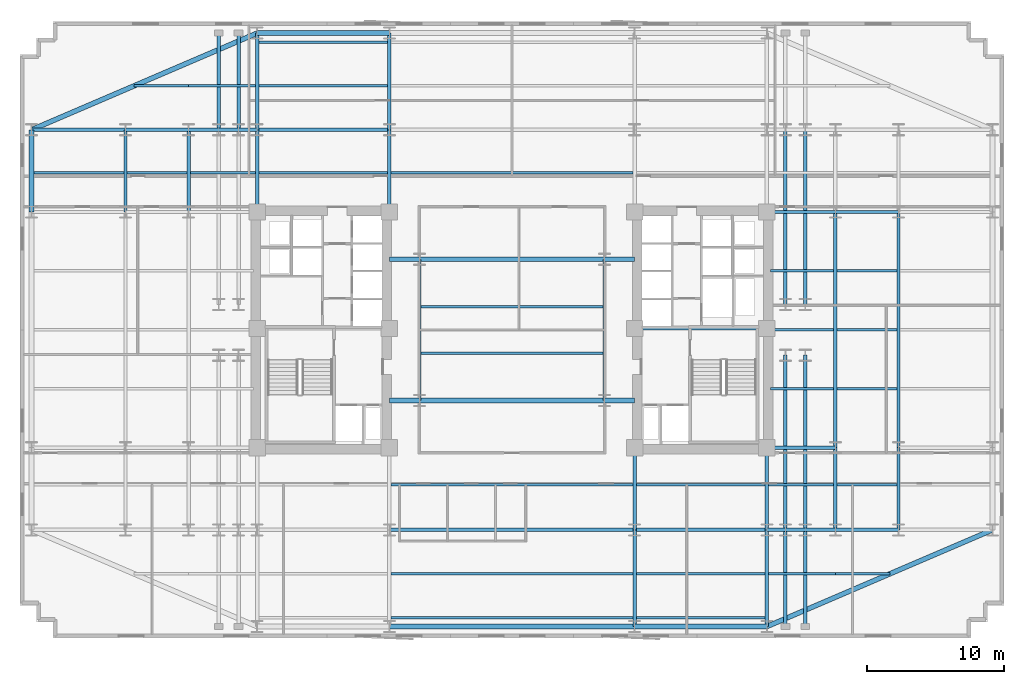
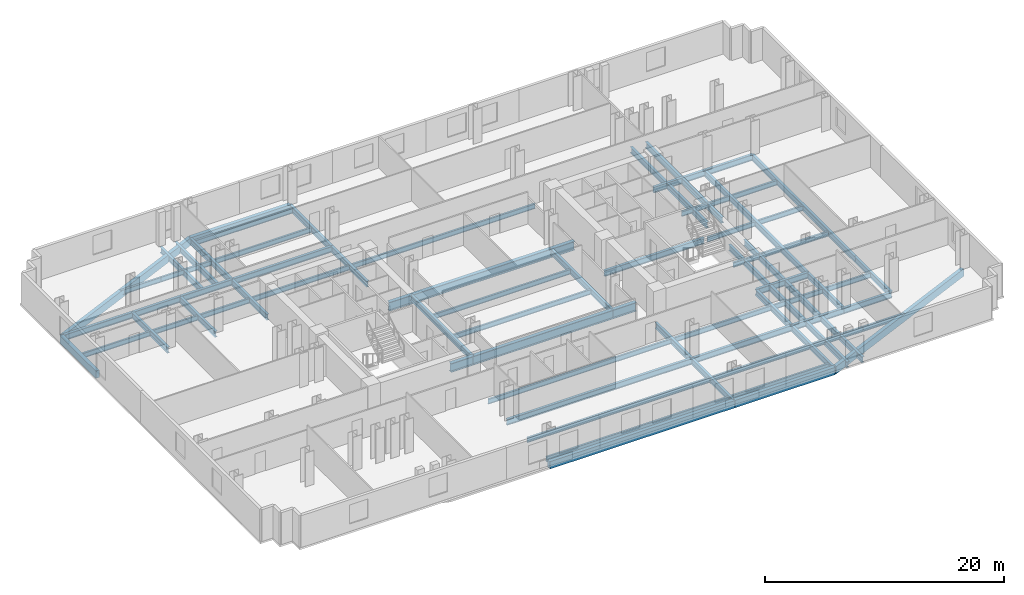
# One storey, part 2 of 10: 75 beams.
"""IFC4 building model written with IfcOpenShell, lengths in metres."""

from ifc_helpers import new_model, si_unit, direction, frame, origin, origin_2d, place, context, subcontext, project, spatial, rectangle, i_section, extrude, material, material_profile, profile_set, type_object, element, save


model = new_model("IFC4")

# Units and contexts
model_context = context("Model", 3, precision=1e-05, world=origin(), true_north=direction((0.0, 1.0)))
body_context = subcontext(model_context, "Body", "Model", "MODEL_VIEW")
ifc_project = project(units=[si_unit("LENGTHUNIT", "METRE"), si_unit("AREAUNIT", "SQUARE_METRE"), si_unit("VOLUMEUNIT", "CUBIC_METRE"), si_unit("PLANEANGLEUNIT", "RADIAN"), si_unit("MASSUNIT", "GRAM", prefix="KILO")], contexts=[model_context])

# Site, building, storey
site_placement = place(None, origin())
site = spatial("IfcSite", under=ifc_project, at=site_placement, CompositionType="ELEMENT")
building_placement = place(site_placement, origin())
building = spatial("IfcBuilding", under=site, at=building_placement, Name="Velakula Bourse", CompositionType="ELEMENT")
storey_placement = place(building_placement, frame((0.0, 0.0, 51.89990234375)))
storey = spatial("IfcBuildingStorey", under=building, at=storey_placement, Name="L13", CompositionType="ELEMENT", Elevation=51.89990234375)

# Beams
ifc_material_1 = material(Name="Steel IS 2062 Grade 350 (E350)", Category="steel")
ifc_material_profile_1 = material_profile(ifc_material_1, i_section(OverallWidth=0.25, OverallDepth=0.60009765625, WebThickness=0.01171875, FlangeThickness=0.023681640625, at=origin_2d()), Name="Steel IS 2062 Grade 350 (E350)")
ifc_profile_set_1 = profile_set([ifc_material_profile_1], Name="Steel IS 2062 Grade 350 (E350)")
beam_type_1 = type_object("IfcBeamType", Name="BM-GRD-600H", PredefinedType="BEAM", material=ifc_profile_set_1)
beam_1_placement = place(storey_placement, frame((8.949951171875, 0.10009765625, -0.47998046875), z_axis=(1.0, 0.0, 0.0), x_axis=(0.0, 1.0, 0.0)))
element("IfcBeam", 1, at=beam_1_placement, inside=storey, type_object=beam_type_1, Name="L13 Primary Backbone Girder CRE-M", PredefinedType="BEAM", context=body_context, shape_type="SweptSolid", body=[
    extrude(i_section(OverallWidth=0.25, OverallDepth=0.60009765625, WebThickness=0.01171875, FlangeThickness=0.023681640625, at=origin_2d()), origin(), (0.0, 0.0, 1.0), 9.650146484375),
])
for number, where, z_axis, x_axis, name in (
    (2, (-6.75, -5.14990234375, -0.47998046875), (0.0, 1.0, 0.0), (-1.0, 0.0, 0.0), "L13 Primary Backbone Girder SPN-W"),
    (3, (6.75, -5.14990234375, -0.47998046875), (0.0, 1.0, 0.0), (-1.0, 0.0, 0.0), "L13 Primary Backbone Girder SPN-E"),
):
    element("IfcBeam", number, at=place(storey_placement, frame(where, z_axis=z_axis, x_axis=x_axis)), inside=storey, type_object=beam_type_1, Name=name, PredefinedType="BEAM", context=body_context, shape_type="SweptSolid", body=[
        extrude(i_section(OverallWidth=0.25, OverallDepth=0.60009765625, WebThickness=0.01171875, FlangeThickness=0.023681640625, at=origin_2d()), origin(), (0.0, 0.0, 1.0), 10.2998046875),
    ])
for number, where, z_axis, x_axis, name in (
    (4, (-18.60009765625, 8.60009765625, -0.47998046875), (0.0, 1.0, 0.0), (-1.0, 0.0, 0.0), "L13 Fulcrum Grid Girder FLC-WN"),
    (5, (-8.949951171875, 8.60009765625, -0.47998046875), (0.0, 1.0, 0.0), (-1.0, 0.0, 0.0), "L13 Fulcrum Grid Girder FLC-WCN"),
    (6, (8.949951171875, -14.60009765625, -0.47998046875), (0.0, 1.0, 0.0), (-1.0, 0.0, 0.0), "L13 Fulcrum Grid Girder FLC-ECS"),
    (7, (18.60009765625, -14.60009765625, -0.47998046875), (0.0, 1.0, 0.0), (-1.0, 0.0, 0.0), "L13 Fulcrum Grid Girder FLC-ES"),
):
    element("IfcBeam", number, at=place(storey_placement, frame(where, z_axis=z_axis, x_axis=x_axis)), inside=storey, type_object=beam_type_1, Name=name, PredefinedType="BEAM", context=body_context, shape_type="SweptSolid", body=[
        extrude(i_section(OverallWidth=0.25, OverallDepth=0.60009765625, WebThickness=0.01171875, FlangeThickness=0.023681640625, at=origin_2d()), origin(), (0.0, 0.0, 1.0), 6.0),
    ])
beam_2_placement = place(storey_placement, frame((-8.949951171875, -14.60009765625, -0.47998046875), z_axis=(1.0, 0.0, 0.0), x_axis=(0.0, 1.0, 0.0)))
element("IfcBeam", 8, at=beam_2_placement, inside=storey, type_object=beam_type_1, Name="L13 Fulcrum Grid Girder FLC-S2", PredefinedType="BEAM", context=body_context, shape_type="SweptSolid", body=[
    extrude(i_section(OverallWidth=0.25, OverallDepth=0.60009765625, WebThickness=0.01171875, FlangeThickness=0.023681640625, at=origin_2d()), origin(), (0.0, 0.0, 1.0), 17.89990234375),
])
for number, where, z_axis, x_axis, name in (
    (9, (8.949951171875, -14.60009765625, -0.47998046875), (1.0, 0.0, 0.0), (0.0, 1.0, 0.0), "L13 Fulcrum Grid Girder FLC-S3"),
    (10, (-18.60009765625, 14.60009765625, -0.47998046875), (1.0, 0.0, 0.0), (0.0, 1.0, 0.0), "L13 Fulcrum Grid Girder FLC-N1"),
):
    element("IfcBeam", number, at=place(storey_placement, frame(where, z_axis=z_axis, x_axis=x_axis)), inside=storey, type_object=beam_type_1, Name=name, PredefinedType="BEAM", context=body_context, shape_type="SweptSolid", body=[
        extrude(i_section(OverallWidth=0.25, OverallDepth=0.60009765625, WebThickness=0.01171875, FlangeThickness=0.023681640625, at=origin_2d()), origin(), (0.0, 0.0, 1.0), 9.650146484375),
    ])
for number, where, z_axis, x_axis, name in (
    (11, (19.949951171875, -14.60009765625, -0.47998046875), (0.0, 1.0, 0.0), (-1.0, 0.0, 0.0), "L13 Fulcrum Grid Girder FLC-PSE1"),
    (12, (19.949951171875, 1.85009765625, -0.47998046875), (0.0, 1.0, 0.0), (-1.0, 0.0, 0.0), "L13 Fulcrum Grid Girder FLC-PNE1"),
    (13, (21.39990234375, -14.60009765625, -0.47998046875), (0.0, 1.0, 0.0), (-1.0, 0.0, 0.0), "L13 Fulcrum Grid Girder FLC-PSE2"),
    (14, (21.39990234375, 1.85009765625, -0.47998046875), (0.0, 1.0, 0.0), (-1.0, 0.0, 0.0), "L13 Fulcrum Grid Girder FLC-PNE2"),
):
    element("IfcBeam", number, at=place(storey_placement, frame(where, z_axis=z_axis, x_axis=x_axis)), inside=storey, type_object=beam_type_1, Name=name, PredefinedType="BEAM", context=body_context, shape_type="SweptSolid", body=[
        extrude(i_section(OverallWidth=0.25, OverallDepth=0.60009765625, WebThickness=0.01171875, FlangeThickness=0.023681640625, at=origin_2d()), origin(), (0.0, 0.0, 1.0), 12.75),
    ])
beam_3_placement = place(storey_placement, frame((-23.60009765625, 14.60009765625, -0.47998046875), z_axis=(1.0, 0.0, 0.0), x_axis=(0.0, 1.0, 0.0)))
element("IfcBeam", 15, at=beam_3_placement, inside=storey, type_object=beam_type_1, Name="L13 Fulcrum Grid Girder MWG-WN2", PredefinedType="BEAM", context=body_context, shape_type="SweptSolid", body=[
    extrude(i_section(OverallWidth=0.25, OverallDepth=0.60009765625, WebThickness=0.01171875, FlangeThickness=0.023681640625, at=origin_2d()), origin(), (0.0, 0.0, 1.0), 5.0),
])
beam_4_placement = place(storey_placement, frame((-23.60009765625, 8.60009765625, -0.47998046875), z_axis=(0.0, 1.0, 0.0), x_axis=(-1.0, 0.0, 0.0)))
element("IfcBeam", 16, at=beam_4_placement, inside=storey, type_object=beam_type_1, Name="L13 Fulcrum Grid Girder MWG-WNS3", PredefinedType="BEAM", context=body_context, shape_type="SweptSolid", body=[
    extrude(i_section(OverallWidth=0.25, OverallDepth=0.60009765625, WebThickness=0.01171875, FlangeThickness=0.023681640625, at=origin_2d()), origin(), (0.0, 0.0, 1.0), 6.0),
])
for number, where, z_axis, x_axis, name in (
    (17, (18.60009765625, -14.60009765625, -0.47998046875), (1.0, 0.0, 0.0), (0.0, 1.0, 0.0), "L13 Fulcrum Grid Girder MWG-ES1"),
    (18, (18.60009765625, -8.60009765625, -0.47998046875), (1.0, 0.0, 0.0), (0.0, 1.0, 0.0), "L13 Fulcrum Grid Girder MWG-ES2"),
    (19, (18.60009765625, 8.60009765625, -0.47998046875), (1.0, 0.0, 0.0), (0.0, 1.0, 0.0), "L13 Fulcrum Grid Girder MWG-EN1"),
):
    element("IfcBeam", number, at=place(storey_placement, frame(where, z_axis=z_axis, x_axis=x_axis)), inside=storey, type_object=beam_type_1, Name=name, PredefinedType="BEAM", context=body_context, shape_type="SweptSolid", body=[
        extrude(i_section(OverallWidth=0.25, OverallDepth=0.60009765625, WebThickness=0.01171875, FlangeThickness=0.023681640625, at=origin_2d()), origin(), (0.0, 0.0, 1.0), 5.0),
    ])
beam_5_placement = place(storey_placement, frame((23.60009765625, -14.60009765625, -0.47998046875), z_axis=(0.0, 1.0, 0.0), x_axis=(-1.0, 0.0, 0.0)))
element("IfcBeam", 20, at=beam_5_placement, inside=storey, type_object=beam_type_1, Name="L13 Fulcrum Grid Girder MWG-ENS1", PredefinedType="BEAM", context=body_context, shape_type="SweptSolid", body=[
    extrude(i_section(OverallWidth=0.25, OverallDepth=0.60009765625, WebThickness=0.01171875, FlangeThickness=0.023681640625, at=origin_2d()), origin(), (0.0, 0.0, 1.0), 6.0),
])
beam_6_placement = place(storey_placement, frame((23.60009765625, -8.60009765625, -0.47998046875), z_axis=(0.0, 1.0, 0.0), x_axis=(-1.0, 0.0, 0.0)))
element("IfcBeam", 21, at=beam_6_placement, inside=storey, type_object=beam_type_1, Name="L13 Fulcrum Grid Girder MWG-ENS2", PredefinedType="BEAM", context=body_context, shape_type="SweptSolid", body=[
    extrude(i_section(OverallWidth=0.25, OverallDepth=0.60009765625, WebThickness=0.01171875, FlangeThickness=0.023681640625, at=origin_2d()), origin(), (0.0, 0.0, 1.0), 17.2001953125),
])
beam_7_placement = place(storey_placement, frame((-28.199951171875, 14.60009765625, -0.47998046875), z_axis=(1.0, 0.0, 0.0), x_axis=(0.0, 1.0, 0.0)))
element("IfcBeam", 22, at=beam_7_placement, inside=storey, type_object=beam_type_1, Name="L13 Fulcrum Grid Girder WNG-WN2", PredefinedType="BEAM", context=body_context, shape_type="SweptSolid", body=[
    extrude(i_section(OverallWidth=0.25, OverallDepth=0.60009765625, WebThickness=0.01171875, FlangeThickness=0.023681640625, at=origin_2d()), origin(), (0.0, 0.0, 1.0), 4.599853515625),
])
beam_8_placement = place(storey_placement, frame((-28.199951171875, 8.60009765625, -0.47998046875), z_axis=(0.0, 1.0, 0.0), x_axis=(-1.0, 0.0, 0.0)))
element("IfcBeam", 23, at=beam_8_placement, inside=storey, type_object=beam_type_1, Name="L13 Fulcrum Grid Girder WNG-WNS3", PredefinedType="BEAM", context=body_context, shape_type="SweptSolid", body=[
    extrude(i_section(OverallWidth=0.25, OverallDepth=0.60009765625, WebThickness=0.01171875, FlangeThickness=0.023681640625, at=origin_2d()), origin(), (0.0, 0.0, 1.0), 6.0),
])
for number, where, z_axis, x_axis, name in (
    (24, (23.60009765625, -14.60009765625, -0.47998046875), (1.0, 0.0, 0.0), (0.0, 1.0, 0.0), "L13 Fulcrum Grid Girder WNG-ES1"),
    (25, (23.60009765625, 8.60009765625, -0.47998046875), (1.0, 0.0, 0.0), (0.0, 1.0, 0.0), "L13 Fulcrum Grid Girder WNG-EN1"),
):
    element("IfcBeam", number, at=place(storey_placement, frame(where, z_axis=z_axis, x_axis=x_axis)), inside=storey, type_object=beam_type_1, Name=name, PredefinedType="BEAM", context=body_context, shape_type="SweptSolid", body=[
        extrude(i_section(OverallWidth=0.25, OverallDepth=0.60009765625, WebThickness=0.01171875, FlangeThickness=0.023681640625, at=origin_2d()), origin(), (0.0, 0.0, 1.0), 4.599853515625),
    ])
beam_9_placement = place(storey_placement, frame((28.199951171875, -14.60009765625, -0.47998046875), z_axis=(0.0, 1.0, 0.0), x_axis=(-1.0, 0.0, 0.0)))
element("IfcBeam", 26, at=beam_9_placement, inside=storey, type_object=beam_type_1, Name="L13 Fulcrum Grid Girder WNG-ENS1", PredefinedType="BEAM", context=body_context, shape_type="SweptSolid", body=[
    extrude(i_section(OverallWidth=0.25, OverallDepth=0.60009765625, WebThickness=0.01171875, FlangeThickness=0.023681640625, at=origin_2d()), origin(), (0.0, 0.0, 1.0), 6.0),
])
beam_10_placement = place(storey_placement, frame((28.199951171875, -8.60009765625, -0.47998046875), z_axis=(0.0, 1.0, 0.0), x_axis=(-1.0, 0.0, 0.0)))
element("IfcBeam", 27, at=beam_10_placement, inside=storey, type_object=beam_type_1, Name="L13 Fulcrum Grid Girder WNG-ENS2", PredefinedType="BEAM", context=body_context, shape_type="SweptSolid", body=[
    extrude(i_section(OverallWidth=0.25, OverallDepth=0.60009765625, WebThickness=0.01171875, FlangeThickness=0.023681640625, at=origin_2d()), origin(), (0.0, 0.0, 1.0), 17.2001953125),
])
for number, where, z_axis, x_axis, name in (
    (28, (8.949951171875, -14.60009765625, -0.47998046875), (0.0, -1.0, 0.0), (1.0, 0.0, 0.0), "L13 Perimeter Tie Girder S3"),
    (29, (18.60009765625, -14.60009765625, -0.47998046875), (0.0, -1.0, 0.0), (1.0, 0.0, 0.0), "L13 Perimeter Tie Girder S4"),
    (30, (-18.60009765625, 14.60009765625, -0.47998046875), (0.0, 1.0, 0.0), (-1.0, 0.0, 0.0), "L13 Perimeter Tie Girder N1"),
    (31, (-8.949951171875, 14.60009765625, -0.47998046875), (0.0, 1.0, 0.0), (-1.0, 0.0, 0.0), "L13 Perimeter Tie Girder N2"),
):
    element("IfcBeam", number, at=place(storey_placement, frame(where, z_axis=z_axis, x_axis=x_axis)), inside=storey, type_object=beam_type_1, Name=name, PredefinedType="BEAM", context=body_context, shape_type="SweptSolid", body=[
        extrude(i_section(OverallWidth=0.25, OverallDepth=0.60009765625, WebThickness=0.01171875, FlangeThickness=0.023681640625, at=origin_2d()), origin(), (0.0, 0.0, 1.0), 7.0498046875),
    ])
beam_11_placement = place(storey_placement, frame((-28.199951171875, 14.60009765625, -0.47998046875), z_axis=(-1.0, 0.0, 0.0), x_axis=(0.0, -1.0, 0.0)))
element("IfcBeam", 32, at=beam_11_placement, inside=storey, type_object=beam_type_1, Name="L13 Perimeter Tie Girder W4", PredefinedType="BEAM", context=body_context, shape_type="SweptSolid", body=[
    extrude(i_section(OverallWidth=0.25, OverallDepth=0.60009765625, WebThickness=0.01171875, FlangeThickness=0.023681640625, at=origin_2d()), origin(), (0.0, 0.0, 1.0), 6.85009765625),
])
for number, where, z_axis, x_axis, name in (
    (33, (19.949951171875, -14.60009765625, -0.47998046875), (0.0, -1.0, 0.0), (1.0, 0.0, 0.0), "L13 Perimeter Tie Girder P03"),
    (34, (21.39990234375, -14.60009765625, -0.47998046875), (0.0, -1.0, 0.0), (1.0, 0.0, 0.0), "L13 Perimeter Tie Girder P04"),
    (35, (-21.39990234375, 14.60009765625, -0.47998046875), (0.0, 1.0, 0.0), (-1.0, 0.0, 0.0), "L13 Perimeter Tie Girder P05"),
    (36, (-19.949951171875, 14.60009765625, -0.47998046875), (0.0, 1.0, 0.0), (-1.0, 0.0, 0.0), "L13 Perimeter Tie Girder P06"),
):
    element("IfcBeam", number, at=place(storey_placement, frame(where, z_axis=z_axis, x_axis=x_axis)), inside=storey, type_object=beam_type_1, Name=name, PredefinedType="BEAM", context=body_context, shape_type="SweptSolid", body=[
        extrude(i_section(OverallWidth=0.25, OverallDepth=0.60009765625, WebThickness=0.01171875, FlangeThickness=0.023681640625, at=origin_2d()), origin(), (0.0, 0.0, 1.0), 7.0498046875),
    ])
ifc_material_profile_2 = material_profile(ifc_material_1, i_section(OverallWidth=0.35009765625, OverallDepth=0.89990234375, WebThickness=0.02001953125, FlangeThickness=0.031982421875, at=origin_2d()), Name="Steel IS 2062 Grade 350 (E350)")
ifc_profile_set_2 = profile_set([ifc_material_profile_2], Name="Steel IS 2062 Grade 350 (E350)")
beam_type_2 = type_object("IfcBeamType", Name="BM-LNK-900", PredefinedType="BEAM", material=ifc_profile_set_2)
beam_12_placement = place(storey_placement, frame((-8.949951171875, -5.14990234375, -0.6298828125), z_axis=(1.0, 0.0, 0.0), x_axis=(0.0, 1.0, 0.0)))
element("IfcBeam", 37, at=beam_12_placement, inside=storey, type_object=beam_type_2, Name="L13 Primary Backbone Girder LNK-S1", PredefinedType="BEAM", context=body_context, shape_type="SweptSolid", body=[
    extrude(i_section(OverallWidth=0.35009765625, OverallDepth=0.89990234375, WebThickness=0.02001953125, FlangeThickness=0.031982421875, at=origin_2d()), origin(), (0.0, 0.0, 1.0), 2.199951171875),
])
beam_13_placement = place(storey_placement, frame((-6.75, -5.14990234375, -0.6298828125), z_axis=(1.0, 0.0, 0.0), x_axis=(0.0, 1.0, 0.0)))
element("IfcBeam", 38, at=beam_13_placement, inside=storey, type_object=beam_type_2, Name="L13 Primary Backbone Girder LNK-S2", PredefinedType="BEAM", context=body_context, shape_type="SweptSolid", body=[
    extrude(i_section(OverallWidth=0.35009765625, OverallDepth=0.89990234375, WebThickness=0.02001953125, FlangeThickness=0.031982421875, at=origin_2d()), origin(), (0.0, 0.0, 1.0), 13.5),
])
for number, where, z_axis, x_axis, name in (
    (39, (6.75, -5.14990234375, -0.6298828125), (1.0, 0.0, 0.0), (0.0, 1.0, 0.0), "L13 Primary Backbone Girder LNK-S3"),
    (40, (-8.949951171875, 5.14990234375, -0.6298828125), (1.0, 0.0, 0.0), (0.0, 1.0, 0.0), "L13 Primary Backbone Girder LNK-N1"),
):
    element("IfcBeam", number, at=place(storey_placement, frame(where, z_axis=z_axis, x_axis=x_axis)), inside=storey, type_object=beam_type_2, Name=name, PredefinedType="BEAM", context=body_context, shape_type="SweptSolid", body=[
        extrude(i_section(OverallWidth=0.35009765625, OverallDepth=0.89990234375, WebThickness=0.02001953125, FlangeThickness=0.031982421875, at=origin_2d()), origin(), (0.0, 0.0, 1.0), 2.199951171875),
    ])
beam_14_placement = place(storey_placement, frame((-6.75, 5.14990234375, -0.6298828125), z_axis=(1.0, 0.0, 0.0), x_axis=(0.0, 1.0, 0.0)))
element("IfcBeam", 41, at=beam_14_placement, inside=storey, type_object=beam_type_2, Name="L13 Primary Backbone Girder LNK-N2", PredefinedType="BEAM", context=body_context, shape_type="SweptSolid", body=[
    extrude(i_section(OverallWidth=0.35009765625, OverallDepth=0.89990234375, WebThickness=0.02001953125, FlangeThickness=0.031982421875, at=origin_2d()), origin(), (0.0, 0.0, 1.0), 13.5),
])
beam_15_placement = place(storey_placement, frame((6.75, 5.14990234375, -0.6298828125), z_axis=(1.0, 0.0, 0.0), x_axis=(0.0, 1.0, 0.0)))
element("IfcBeam", 42, at=beam_15_placement, inside=storey, type_object=beam_type_2, Name="L13 Primary Backbone Girder LNK-N3", PredefinedType="BEAM", context=body_context, shape_type="SweptSolid", body=[
    extrude(i_section(OverallWidth=0.35009765625, OverallDepth=0.89990234375, WebThickness=0.02001953125, FlangeThickness=0.031982421875, at=origin_2d()), origin(), (0.0, 0.0, 1.0), 2.199951171875),
])
ifc_material_profile_3 = material_profile(ifc_material_1, i_section(OverallWidth=0.179931640625, OverallDepth=0.5, WebThickness=0.01025390625, FlangeThickness=0.01708984375, at=origin_2d()), Name="Steel IS 2062 Grade 350 (E350)")
ifc_profile_set_3 = profile_set([ifc_material_profile_3], Name="Steel IS 2062 Grade 350 (E350)")
beam_type_3 = type_object("IfcBeamType", Name="JST-TWR-500", PredefinedType="JOIST", material=ifc_profile_set_3)
beam_16_placement = place(storey_placement, frame((-8.824951171875, -21.0, -0.429931640625), z_axis=(1.0, 0.0, 0.0), x_axis=(0.0, 1.0, 0.0)))
element("IfcBeam", 43, at=beam_16_placement, inside=storey, type_object=beam_type_3, Name="L13 Trading Floor Composite Joist 02", PredefinedType="JOIST", context=body_context, shape_type="SweptSolid", body=[
    extrude(i_section(OverallWidth=0.179931640625, OverallDepth=0.5, WebThickness=0.01025390625, FlangeThickness=0.01708984375, at=origin_2d()), origin(), (0.0, 0.0, 1.0), 17.64990234375),
])
beam_17_placement = place(storey_placement, frame((9.074951171875, -21.0, -0.429931640625), z_axis=(1.0, 0.0, 0.0), x_axis=(0.0, 1.0, 0.0)))
element("IfcBeam", 44, at=beam_17_placement, inside=storey, type_object=beam_type_3, Name="L13 Trading Floor Composite Joist 03", PredefinedType="JOIST", context=body_context, shape_type="SweptSolid", body=[
    extrude(i_section(OverallWidth=0.179931640625, OverallDepth=0.5, WebThickness=0.01025390625, FlangeThickness=0.01708984375, at=origin_2d()), origin(), (0.0, 0.0, 1.0), 9.400146484375),
])
beam_18_placement = place(storey_placement, frame((-8.824951171875, -17.800048828125, -0.429931640625), z_axis=(1.0, 0.0, 0.0), x_axis=(0.0, 1.0, 0.0)))
element("IfcBeam", 45, at=beam_18_placement, inside=storey, type_object=beam_type_3, Name="L13 Trading Floor Composite Joist 07", PredefinedType="JOIST", context=body_context, shape_type="SweptSolid", body=[
    extrude(i_section(OverallWidth=0.179931640625, OverallDepth=0.5, WebThickness=0.01025390625, FlangeThickness=0.01708984375, at=origin_2d()), origin(), (0.0, 0.0, 1.0), 17.64990234375),
])
beam_19_placement = place(storey_placement, frame((9.074951171875, -17.800048828125, -0.429931640625), z_axis=(1.0, 0.0, 0.0), x_axis=(0.0, 1.0, 0.0)))
element("IfcBeam", 46, at=beam_19_placement, inside=storey, type_object=beam_type_3, Name="L13 Trading Floor Composite Joist 08", PredefinedType="JOIST", context=body_context, shape_type="SweptSolid", body=[
    extrude(i_section(OverallWidth=0.179931640625, OverallDepth=0.5, WebThickness=0.01025390625, FlangeThickness=0.01708984375, at=origin_2d()), origin(), (0.0, 0.0, 1.0), 9.400146484375),
])
beam_20_placement = place(storey_placement, frame((18.72509765625, -17.800048828125, -0.429931640625), z_axis=(1.0, 0.0, 0.0), x_axis=(0.0, 1.0, 0.0)))
element("IfcBeam", 47, at=beam_20_placement, inside=storey, type_object=beam_type_3, Name="L13 Trading Floor Composite Joist 09", PredefinedType="JOIST", context=body_context, shape_type="SweptSolid", body=[
    extrude(i_section(OverallWidth=0.179931640625, OverallDepth=0.5, WebThickness=0.01025390625, FlangeThickness=0.01708984375, at=origin_2d()), origin(), (0.0, 0.0, 1.0), 4.875),
])
beam_21_placement = place(storey_placement, frame((23.60009765625, -17.800048828125, -0.429931640625), z_axis=(1.0, 0.0, 0.0), x_axis=(0.0, 1.0, 0.0)))
element("IfcBeam", 48, at=beam_21_placement, inside=storey, type_object=beam_type_3, Name="L13 Trading Floor Composite Joist 10", PredefinedType="JOIST", context=body_context, shape_type="SweptSolid", body=[
    extrude(i_section(OverallWidth=0.179931640625, OverallDepth=0.5, WebThickness=0.01025390625, FlangeThickness=0.01708984375, at=origin_2d()), origin(), (0.0, 0.0, 1.0), 3.983154296875),
])
beam_22_placement = place(storey_placement, frame((-8.824951171875, -11.300048828125, -0.429931640625), z_axis=(1.0, 0.0, 0.0), x_axis=(0.0, 1.0, 0.0)))
element("IfcBeam", 49, at=beam_22_placement, inside=storey, type_object=beam_type_3, Name="L13 Trading Floor Composite Joist 15", PredefinedType="JOIST", context=body_context, shape_type="SweptSolid", body=[
    extrude(i_section(OverallWidth=0.179931640625, OverallDepth=0.5, WebThickness=0.01025390625, FlangeThickness=0.01708984375, at=origin_2d()), origin(), (0.0, 0.0, 1.0), 17.64990234375),
])
beam_23_placement = place(storey_placement, frame((9.074951171875, -11.300048828125, -0.429931640625), z_axis=(1.0, 0.0, 0.0), x_axis=(0.0, 1.0, 0.0)))
element("IfcBeam", 50, at=beam_23_placement, inside=storey, type_object=beam_type_3, Name="L13 Trading Floor Composite Joist 16", PredefinedType="JOIST", context=body_context, shape_type="SweptSolid", body=[
    extrude(i_section(OverallWidth=0.179931640625, OverallDepth=0.5, WebThickness=0.01025390625, FlangeThickness=0.01708984375, at=origin_2d()), origin(), (0.0, 0.0, 1.0), 9.400146484375),
])
beam_24_placement = place(storey_placement, frame((18.72509765625, -11.300048828125, -0.429931640625), z_axis=(1.0, 0.0, 0.0), x_axis=(0.0, 1.0, 0.0)))
element("IfcBeam", 51, at=beam_24_placement, inside=storey, type_object=beam_type_3, Name="L13 Trading Floor Composite Joist 17", PredefinedType="JOIST", context=body_context, shape_type="SweptSolid", body=[
    extrude(i_section(OverallWidth=0.179931640625, OverallDepth=0.5, WebThickness=0.01025390625, FlangeThickness=0.01708984375, at=origin_2d()), origin(), (0.0, 0.0, 1.0), 4.75),
])
beam_25_placement = place(storey_placement, frame((23.72509765625, -11.300048828125, -0.429931640625), z_axis=(1.0, 0.0, 0.0), x_axis=(0.0, 1.0, 0.0)))
element("IfcBeam", 52, at=beam_25_placement, inside=storey, type_object=beam_type_3, Name="L13 Trading Floor Composite Joist 18", PredefinedType="JOIST", context=body_context, shape_type="SweptSolid", body=[
    extrude(i_section(OverallWidth=0.179931640625, OverallDepth=0.5, WebThickness=0.01025390625, FlangeThickness=0.01708984375, at=origin_2d()), origin(), (0.0, 0.0, 1.0), 4.349853515625),
])
beam_26_placement = place(storey_placement, frame((-34.875, 11.449951171875, -0.429931640625), z_axis=(1.0, 0.0, 0.0), x_axis=(0.0, 1.0, 0.0)))
element("IfcBeam", 53, at=beam_26_placement, inside=storey, type_object=beam_type_3, Name="L13 Trading Floor Composite Joist 20", PredefinedType="JOIST", context=body_context, shape_type="SweptSolid", body=[
    extrude(i_section(OverallWidth=0.179931640625, OverallDepth=0.5, WebThickness=0.01025390625, FlangeThickness=0.01708984375, at=origin_2d()), origin(), (0.0, 0.0, 1.0), 6.550048828125),
])
beam_27_placement = place(storey_placement, frame((-28.074951171875, 11.449951171875, -0.429931640625), z_axis=(1.0, 0.0, 0.0), x_axis=(0.0, 1.0, 0.0)))
element("IfcBeam", 54, at=beam_27_placement, inside=storey, type_object=beam_type_3, Name="L13 Trading Floor Composite Joist 21", PredefinedType="JOIST", context=body_context, shape_type="SweptSolid", body=[
    extrude(i_section(OverallWidth=0.179931640625, OverallDepth=0.5, WebThickness=0.01025390625, FlangeThickness=0.01708984375, at=origin_2d()), origin(), (0.0, 0.0, 1.0), 4.349853515625),
])
beam_28_placement = place(storey_placement, frame((-23.47509765625, 11.449951171875, -0.429931640625), z_axis=(1.0, 0.0, 0.0), x_axis=(0.0, 1.0, 0.0)))
element("IfcBeam", 55, at=beam_28_placement, inside=storey, type_object=beam_type_3, Name="L13 Trading Floor Composite Joist 22", PredefinedType="JOIST", context=body_context, shape_type="SweptSolid", body=[
    extrude(i_section(OverallWidth=0.179931640625, OverallDepth=0.5, WebThickness=0.01025390625, FlangeThickness=0.01708984375, at=origin_2d()), origin(), (0.0, 0.0, 1.0), 4.75),
])
beam_29_placement = place(storey_placement, frame((-18.47509765625, 11.449951171875, -0.429931640625), z_axis=(1.0, 0.0, 0.0), x_axis=(0.0, 1.0, 0.0)))
element("IfcBeam", 56, at=beam_29_placement, inside=storey, type_object=beam_type_3, Name="L13 Trading Floor Composite Joist 23", PredefinedType="JOIST", context=body_context, shape_type="SweptSolid", body=[
    extrude(i_section(OverallWidth=0.179931640625, OverallDepth=0.5, WebThickness=0.01025390625, FlangeThickness=0.01708984375, at=origin_2d()), origin(), (0.0, 0.0, 1.0), 9.400146484375),
])
beam_30_placement = place(storey_placement, frame((-8.824951171875, 11.449951171875, -0.429931640625), z_axis=(1.0, 0.0, 0.0), x_axis=(0.0, 1.0, 0.0)))
element("IfcBeam", 57, at=beam_30_placement, inside=storey, type_object=beam_type_3, Name="L13 Trading Floor Composite Joist 24", PredefinedType="JOIST", context=body_context, shape_type="SweptSolid", body=[
    extrude(i_section(OverallWidth=0.179931640625, OverallDepth=0.5, WebThickness=0.01025390625, FlangeThickness=0.01708984375, at=origin_2d()), origin(), (0.0, 0.0, 1.0), 17.64990234375),
])
beam_31_placement = place(storey_placement, frame((-27.583251953125, 17.800048828125, -0.429931640625), z_axis=(1.0, 0.0, 0.0), x_axis=(0.0, 1.0, 0.0)))
element("IfcBeam", 58, at=beam_31_placement, inside=storey, type_object=beam_type_3, Name="L13 Trading Floor Composite Joist 29", PredefinedType="JOIST", context=body_context, shape_type="SweptSolid", body=[
    extrude(i_section(OverallWidth=0.179931640625, OverallDepth=0.5, WebThickness=0.01025390625, FlangeThickness=0.01708984375, at=origin_2d()), origin(), (0.0, 0.0, 1.0), 3.983154296875),
])
beam_32_placement = place(storey_placement, frame((-23.60009765625, 17.800048828125, -0.429931640625), z_axis=(1.0, 0.0, 0.0), x_axis=(0.0, 1.0, 0.0)))
element("IfcBeam", 59, at=beam_32_placement, inside=storey, type_object=beam_type_3, Name="L13 Trading Floor Composite Joist 30", PredefinedType="JOIST", context=body_context, shape_type="SweptSolid", body=[
    extrude(i_section(OverallWidth=0.179931640625, OverallDepth=0.5, WebThickness=0.01025390625, FlangeThickness=0.01708984375, at=origin_2d()), origin(), (0.0, 0.0, 1.0), 4.875),
])
for number, where, z_axis, x_axis, name in (
    (60, (-18.47509765625, 17.800048828125, -0.429931640625), (1.0, 0.0, 0.0), (0.0, 1.0, 0.0), "L13 Trading Floor Composite Joist 31"),
    (61, (-18.47509765625, 21.0, -0.429931640625), (1.0, 0.0, 0.0), (0.0, 1.0, 0.0), "L13 Trading Floor Composite Joist 36"),
):
    element("IfcBeam", number, at=place(storey_placement, frame(where, z_axis=z_axis, x_axis=x_axis)), inside=storey, type_object=beam_type_3, Name=name, PredefinedType="JOIST", context=body_context, shape_type="SweptSolid", body=[
        extrude(i_section(OverallWidth=0.179931640625, OverallDepth=0.5, WebThickness=0.01025390625, FlangeThickness=0.01708984375, at=origin_2d()), origin(), (0.0, 0.0, 1.0), 9.400146484375),
    ])
for number, where, z_axis, x_axis, name in (
    (62, (-6.625, -1.699951171875, -0.429931640625), (1.0, 0.0, 0.0), (0.0, 1.0, 0.0), "L13 Trading Floor Composite Joist 39"),
    (63, (-6.625, 1.699951171875, -0.429931640625), (1.0, 0.0, 0.0), (0.0, 1.0, 0.0), "L13 Trading Floor Composite Joist 40"),
):
    element("IfcBeam", number, at=place(storey_placement, frame(where, z_axis=z_axis, x_axis=x_axis)), inside=storey, type_object=beam_type_3, Name=name, PredefinedType="JOIST", context=body_context, shape_type="SweptSolid", body=[
        extrude(i_section(OverallWidth=0.179931640625, OverallDepth=0.5, WebThickness=0.01025390625, FlangeThickness=0.01708984375, at=origin_2d()), origin(), (0.0, 0.0, 1.0), 13.25),
    ])
beam_33_placement = place(storey_placement, frame((18.85009765625, -4.300048828125, -0.429931640625), z_axis=(1.0, 0.0, 0.0), x_axis=(0.0, 1.0, 0.0)))
element("IfcBeam", 64, at=beam_33_placement, inside=storey, type_object=beam_type_3, Name="L13 Trading Floor Composite Joist 44", PredefinedType="JOIST", context=body_context, shape_type="SweptSolid", body=[
    extrude(i_section(OverallWidth=0.179931640625, OverallDepth=0.5, WebThickness=0.01025390625, FlangeThickness=0.01708984375, at=origin_2d()), origin(), (0.0, 0.0, 1.0), 4.625),
])
beam_34_placement = place(storey_placement, frame((23.72509765625, -4.300048828125, -0.429931640625), z_axis=(1.0, 0.0, 0.0), x_axis=(0.0, 1.0, 0.0)))
element("IfcBeam", 65, at=beam_34_placement, inside=storey, type_object=beam_type_3, Name="L13 Trading Floor Composite Joist 45", PredefinedType="JOIST", context=body_context, shape_type="SweptSolid", body=[
    extrude(i_section(OverallWidth=0.179931640625, OverallDepth=0.5, WebThickness=0.01025390625, FlangeThickness=0.01708984375, at=origin_2d()), origin(), (0.0, 0.0, 1.0), 4.349853515625),
])
beam_35_placement = place(storey_placement, frame((18.85009765625, 0.0, -0.429931640625), z_axis=(1.0, 0.0, 0.0), x_axis=(0.0, 1.0, 0.0)))
element("IfcBeam", 66, at=beam_35_placement, inside=storey, type_object=beam_type_3, Name="L13 Trading Floor Composite Joist 50", PredefinedType="JOIST", context=body_context, shape_type="SweptSolid", body=[
    extrude(i_section(OverallWidth=0.179931640625, OverallDepth=0.5, WebThickness=0.01025390625, FlangeThickness=0.01708984375, at=origin_2d()), origin(), (0.0, 0.0, 1.0), 4.625),
])
beam_36_placement = place(storey_placement, frame((23.72509765625, 0.0, -0.429931640625), z_axis=(1.0, 0.0, 0.0), x_axis=(0.0, 1.0, 0.0)))
element("IfcBeam", 67, at=beam_36_placement, inside=storey, type_object=beam_type_3, Name="L13 Trading Floor Composite Joist 51", PredefinedType="JOIST", context=body_context, shape_type="SweptSolid", body=[
    extrude(i_section(OverallWidth=0.179931640625, OverallDepth=0.5, WebThickness=0.01025390625, FlangeThickness=0.01708984375, at=origin_2d()), origin(), (0.0, 0.0, 1.0), 4.349853515625),
])
beam_37_placement = place(storey_placement, frame((18.85009765625, 4.300048828125, -0.429931640625), z_axis=(1.0, 0.0, 0.0), x_axis=(0.0, 1.0, 0.0)))
element("IfcBeam", 68, at=beam_37_placement, inside=storey, type_object=beam_type_3, Name="L13 Trading Floor Composite Joist 56", PredefinedType="JOIST", context=body_context, shape_type="SweptSolid", body=[
    extrude(i_section(OverallWidth=0.179931640625, OverallDepth=0.5, WebThickness=0.01025390625, FlangeThickness=0.01708984375, at=origin_2d()), origin(), (0.0, 0.0, 1.0), 4.625),
])
beam_38_placement = place(storey_placement, frame((23.72509765625, 4.300048828125, -0.429931640625), z_axis=(1.0, 0.0, 0.0), x_axis=(0.0, 1.0, 0.0)))
element("IfcBeam", 69, at=beam_38_placement, inside=storey, type_object=beam_type_3, Name="L13 Trading Floor Composite Joist 57", PredefinedType="JOIST", context=body_context, shape_type="SweptSolid", body=[
    extrude(i_section(OverallWidth=0.179931640625, OverallDepth=0.5, WebThickness=0.01025390625, FlangeThickness=0.01708984375, at=origin_2d()), origin(), (0.0, 0.0, 1.0), 4.349853515625),
])
ifc_material_2 = material(Name="Precast concrete M45 (fck 45 MPa)", Category="concrete")
ifc_material_profile_4 = material_profile(ifc_material_2, rectangle(XDim=0.35009765625, YDim=0.75, at=origin_2d()), Name="Precast concrete M45 (fck 45 MPa)")
ifc_profile_set_4 = profile_set([ifc_material_profile_4], Name="Precast concrete M45 (fck 45 MPa)")
beam_type_4 = type_object("IfcBeamType", Name="SPN-BRICK-750", PredefinedType="SPANDREL", material=ifc_profile_set_4)
beam_39_placement = place(storey_placement, frame((-8.949951171875, -21.64990234375, -0.554931640625), z_axis=(1.0, 0.0, 0.0), x_axis=(0.0, 1.0, 0.0)))
element("IfcBeam", 70, at=beam_39_placement, inside=storey, type_object=beam_type_4, Name="L13 Brick-Faced Precast Spandrel S2-S3", PredefinedType="SPANDREL", context=body_context, shape_type="SweptSolid", body=[
    extrude(rectangle(XDim=0.35009765625, YDim=0.75, at=origin_2d()), origin(), (0.0, 0.0, 1.0), 17.89990234375),
])
for number, where, z_axis, x_axis, name in (
    (71, (8.949951171875, -21.64990234375, -0.554931640625), (1.0, 0.0, 0.0), (0.0, 1.0, 0.0), "L13 Brick-Faced Precast Spandrel S3-S4"),
    (72, (-18.60009765625, 21.64990234375, -0.554931640625), (1.0, 0.0, 0.0), (0.0, 1.0, 0.0), "L13 Brick-Faced Precast Spandrel N1-N2"),
):
    element("IfcBeam", number, at=place(storey_placement, frame(where, z_axis=z_axis, x_axis=x_axis)), inside=storey, type_object=beam_type_4, Name=name, PredefinedType="SPANDREL", context=body_context, shape_type="SweptSolid", body=[
        extrude(rectangle(XDim=0.35009765625, YDim=0.75, at=origin_2d()), origin(), (0.0, 0.0, 1.0), 9.650146484375),
    ])
beam_40_placement = place(storey_placement, frame((-35.050048828125, 8.60009765625, -0.554931640625), z_axis=(0.0, 1.0, 0.0), x_axis=(-1.0, 0.0, 0.0)))
element("IfcBeam", 73, at=beam_40_placement, inside=storey, type_object=beam_type_4, Name="L13 Brick-Faced Precast Spandrel W3-W4", PredefinedType="SPANDREL", context=body_context, shape_type="SweptSolid", body=[
    extrude(rectangle(XDim=0.35009765625, YDim=0.75, at=origin_2d()), origin(), (0.0, 0.0, 1.0), 6.0),
])
for number, where, z_axis, x_axis, name in (
    (74, (18.60009765625, -21.64990234375, -0.554931640625), (0.919148557947, 0.393911066642, 0.0), (-0.393911066642, 0.919148557947, 0.0), "L13 Brick-Faced Precast Spandrel S4-E1"),
    (75, (-18.60009765625, 21.64990234375, -0.554931640625), (-0.919148557947, -0.393911066642, 0.0), (0.393911066642, -0.919148557947, 0.0), "L13 Brick-Faced Precast Spandrel N1-W4"),
):
    element("IfcBeam", number, at=place(storey_placement, frame(where, z_axis=z_axis, x_axis=x_axis)), inside=storey, type_object=beam_type_4, Name=name, PredefinedType="SPANDREL", context=body_context, shape_type="SweptSolid", body=[
        extrude(rectangle(XDim=0.35009765625, YDim=0.75, at=origin_2d()), origin(), (0.0, 0.0, 1.0), 17.89697265625),
    ])

save(model, "model.ifc")
